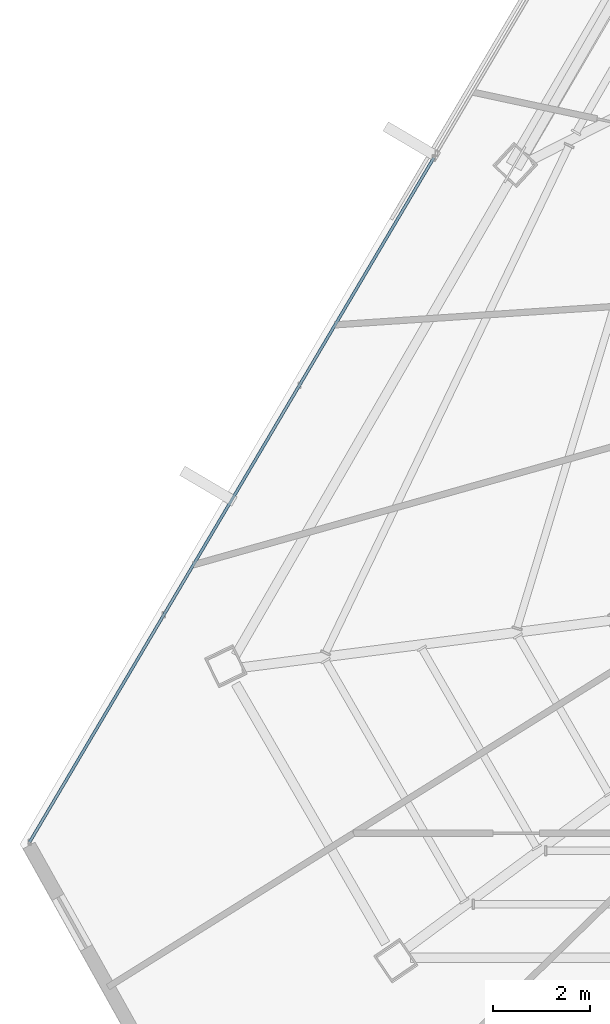
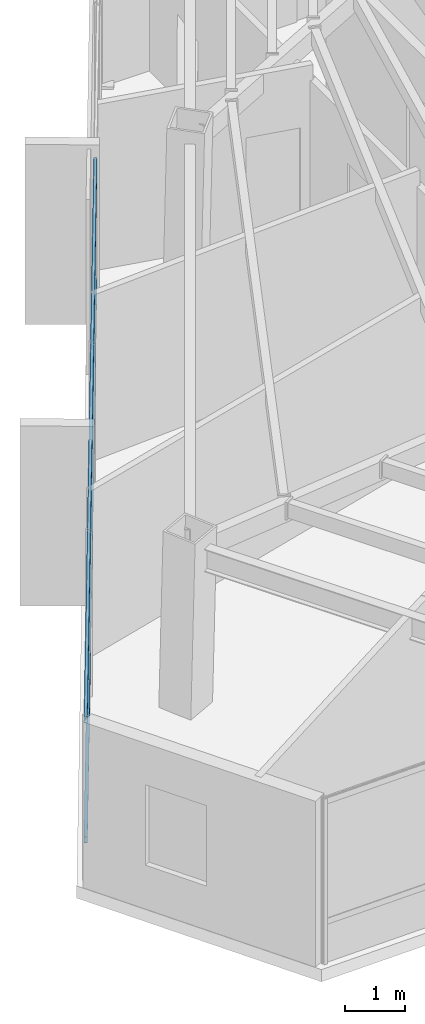
# One storey, part 8 of 48: 2 members, 1 element without a shape of its own.
"""IFC4 building model written with IfcOpenShell, lengths in metres."""

from ifc_helpers import new_model, si_unit, direction, frame, origin, origin_2d, place, context, subcontext, project, spatial, hollow_rectangle, extrude, source, transform, mapped, material, material_profile, profile_set, type_object, type_shapes, element, aggregate, save


model = new_model("IFC4")

# Units and contexts
model_context = context("Model", 3, precision=1e-05, world=origin(), true_north=direction((0.0, 1.0)))
body_context = subcontext(model_context, "Body", "Model", "MODEL_VIEW")
ifc_project = project(units=[si_unit("LENGTHUNIT", "METRE"), si_unit("AREAUNIT", "SQUARE_METRE"), si_unit("VOLUMEUNIT", "CUBIC_METRE"), si_unit("PLANEANGLEUNIT", "RADIAN"), si_unit("MASSUNIT", "GRAM", prefix="KILO")], contexts=[model_context])

# Site, building, storey
site_placement = place(None, origin())
site = spatial("IfcSite", under=ifc_project, at=site_placement, CompositionType="ELEMENT")
building_placement = place(site_placement, origin())
building = spatial("IfcBuilding", under=site, at=building_placement, Name="Caelisora Broadcast Tower", CompositionType="ELEMENT")
storey_placement = place(building_placement, frame((0.0, 0.0, 270.0)))
storey = spatial("IfcBuildingStorey", under=building, at=storey_placement, Name="L71", CompositionType="ELEMENT", Elevation=270.0)

# Curtain wall, members
ifc_material_1 = material(Name="Unitised Aluminium and Low-E Glass Curtain Wall", Category="glass")
curtain_wall_type = type_object("IfcCurtainWallType", Name="CW-Z5", PredefinedType="NOTDEFINED", material=ifc_material_1)
curtain_wall_placement = place(storey_placement, origin())
curtain_wall = element("IfcCurtainWall", 1, at=curtain_wall_placement, inside=storey, type_object=curtain_wall_type, Name="L71 curtain wall CW-Z5", PredefinedType="NOTDEFINED")
ifc_material_2 = material(Name="Aluminium 6063-T6 Anodised Terracotta Bronze", Category="aluminium")
ifc_material_profile = material_profile(ifc_material_2, hollow_rectangle(XDim=0.06005859375, YDim=0.1201171875, WallThickness=0.0029296875, at=origin_2d()), Name="Aluminium 6063-T6 Anodised Terracotta Bronze")
ifc_profile_set = profile_set([ifc_material_profile], Name="Aluminium 6063-T6 Anodised Terracotta Bronze")
member_type = type_object("IfcMemberType", Name="CWT-03", PredefinedType="USERDEFINED", material=ifc_profile_set)
shared_shape = source(origin(), body_context, "Body", "SweptSolid", [
    extrude(hollow_rectangle(XDim=0.06005859375, YDim=0.1201171875, WallThickness=0.0029296875, at=origin_2d()), origin(), (0.0, 0.0, 1.0), 16.39111328125),
])
type_shapes(member_type, [shared_shape])
member_1_placement = place(storey_placement, frame((12.540283203125, 12.05908203125, 0.85009765625), z_axis=(0.508578259187, 0.861015768893, 0.0), x_axis=(-0.861015768893, 0.508578259187, 0.0)))
member_1 = element("IfcMember", 2, at=member_1_placement, type_object=member_type, Name="L71-CW-B09 transom #1", ObjectType="TRANSOM", PredefinedType="USERDEFINED", context=body_context, shape_type="MappedRepresentation", body=[
    mapped(shared_shape, transform((0.0, 0.0, 0.0), scale=1.0)),
])
member_2_placement = place(storey_placement, frame((12.540283203125, 12.05908203125, 3.320068359375), z_axis=(0.508578259187, 0.861015768893, 0.0), x_axis=(-0.861015768893, 0.508578259187, 0.0)))
member_2 = element("IfcMember", 3, at=member_2_placement, type_object=member_type, Name="L71-CW-B09 transom #2", ObjectType="TRANSOM", PredefinedType="USERDEFINED", context=body_context, shape_type="MappedRepresentation", body=[
    mapped(shared_shape, transform((0.0, 0.0, 0.0), scale=1.0)),
])
aggregate(curtain_wall, [member_1, member_2])

save(model, "model.ifc")
